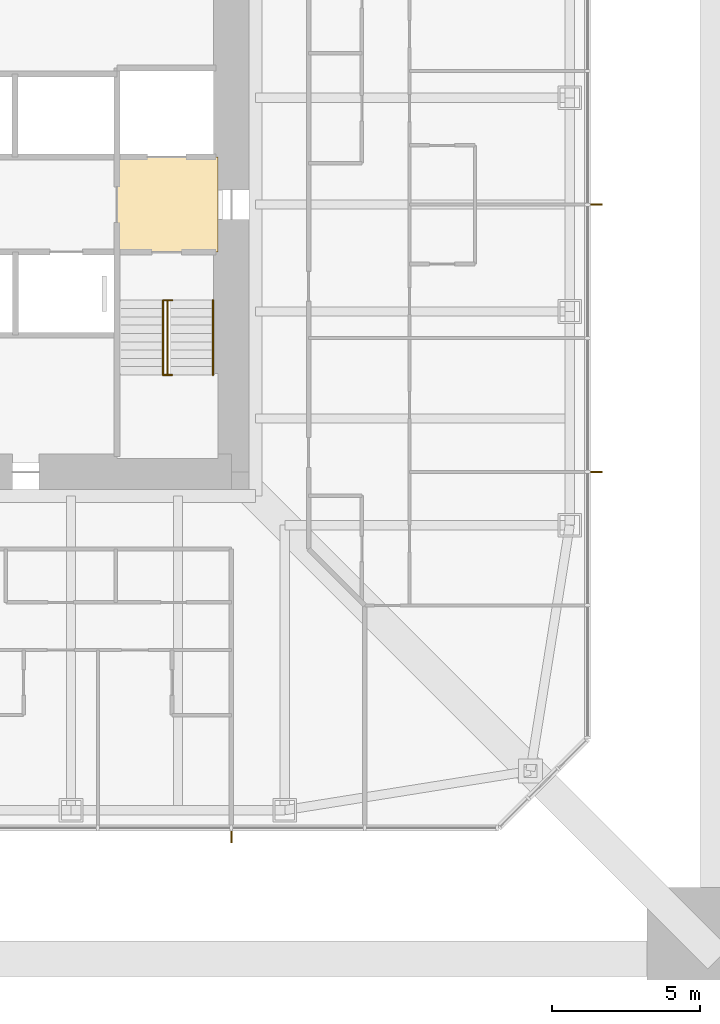
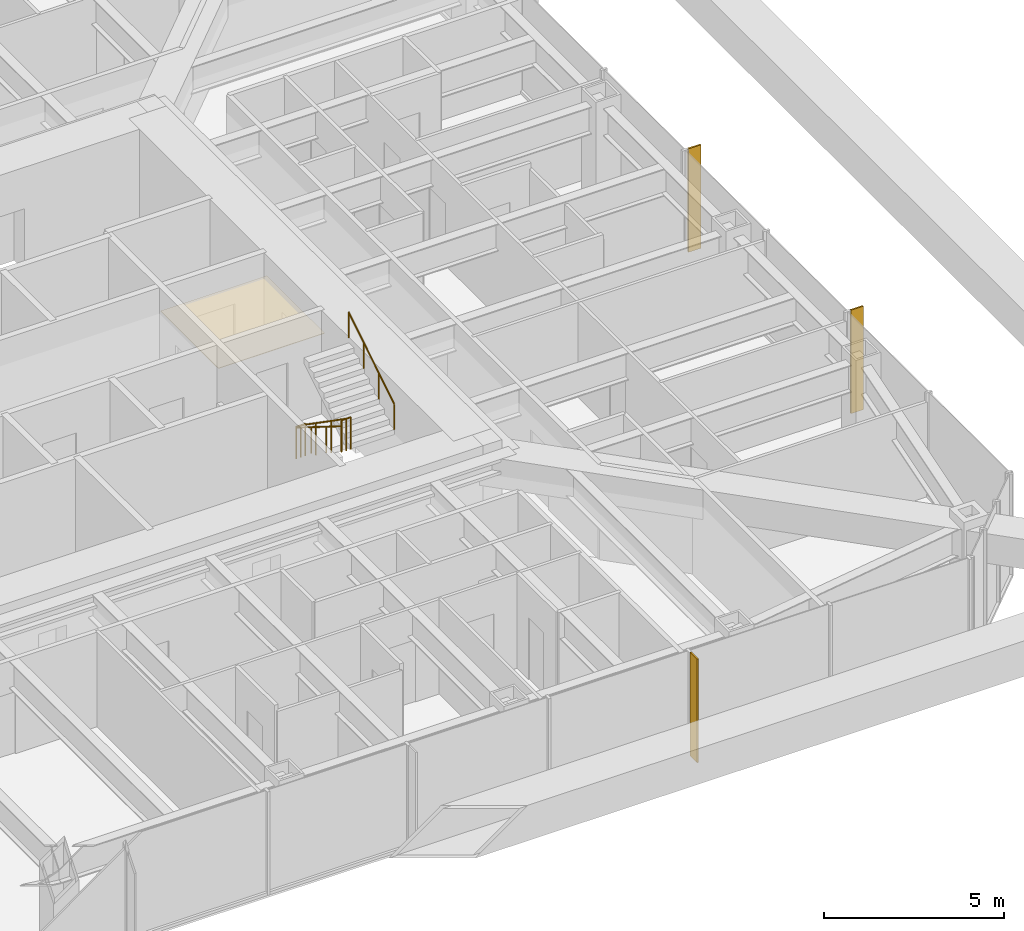
# One storey, part 19 of 20: 3 railings, 3 shading devices, 1 covering.
"""IFC4 building model written with IfcOpenShell, lengths in metres."""

from ifc_helpers import new_model, si_unit, direction, frame, origin, origin_2d, place, context, subcontext, project, spatial, polyline, rectangle, circle, outline, extrude, material, layer, layer_set, constituent, constituent_set, type_object, element, save


model = new_model("IFC4")

# Units and contexts
model_context = context("Model", 3, precision=1e-05, world=origin(), true_north=direction((0.0, 1.0)))
body_context = subcontext(model_context, "Body", "Model", "MODEL_VIEW")
ifc_project = project(units=[si_unit("LENGTHUNIT", "METRE"), si_unit("AREAUNIT", "SQUARE_METRE"), si_unit("VOLUMEUNIT", "CUBIC_METRE"), si_unit("PLANEANGLEUNIT", "RADIAN"), si_unit("MASSUNIT", "GRAM", prefix="KILO")], contexts=[model_context])

# Site, building, storey
site_placement = place(None, origin())
site = spatial("IfcSite", under=ifc_project, at=site_placement, CompositionType="ELEMENT")
building_placement = place(site_placement, origin())
building = spatial("IfcBuilding", under=site, at=building_placement, Name="Iwan Alto Co-Living Towers", CompositionType="ELEMENT")
storey_placement = place(building_placement, frame((0.0, 0.0, 140.0)))
storey = spatial("IfcBuildingStorey", under=building, at=storey_placement, Name="L38", CompositionType="ELEMENT", Elevation=140.0)

# Covering
ifc_material_1 = material(Name="Mineral fibre acoustic tiles on steel grid", Category="steel")
ifc_layer_1 = layer(ifc_material_1, 0.02001953125)
ifc_layer_set_1 = layer_set([ifc_layer_1], Name="ACOUSTIC TILE CEILING 20")
covering_type = type_object("IfcCoveringType", Name="ACOUSTIC TILE CEILING 20", PredefinedType="CEILING", material=ifc_layer_set_1)
covering_placement = place(storey_placement, frame((0.0, 0.0, 2.60009765625)))
element("IfcCovering", 1, at=covering_placement, inside=storey, type_object=covering_type, Name="Ceiling Firefighting lobby L38", PredefinedType="CEILING", context=body_context, shape_type="SweptSolid", body=[
    extrude(outline(polyline([(5.14990234375, -1.60009765625), (5.14990234375, 1.60009765625), (8.550048828125, 1.60009765625), (8.550048828125, -1.60009765625), (5.14990234375, -1.60009765625)])), origin(), (0.0, 0.0, 1.0), 0.02001953125),
])

# Shading devices
ifc_material_2 = material(Name="Aluminium 6063-T6 bronze anodised", Category="aluminium")
ifc_layer_2 = layer(ifc_material_2, 0.050048828125)
ifc_layer_set_2 = layer_set([ifc_layer_2], Name="BRONZE FIN 50X400")
shading_device_type = type_object("IfcShadingDeviceType", Name="BRONZE FIN 50X400", PredefinedType="USERDEFINED", material=ifc_layer_set_2)
for number, where, z_axis, x_axis, name in (
    (2, (9.0, -21.300048828125, 0.0), (0.0, 0.0, 1.0), (1.0, 0.0, 0.0), "Bronze fin L38"),
    (3, (21.300048828125, -9.0, 0.0), (0.0, 0.0, 1.0), (0.0, 1.0, 0.0), "Bronze fin L38"),
    (4, (21.300048828125, 0.0, 0.0), (0.0, 0.0, 1.0), (0.0, 1.0, 0.0), "Bronze fin L38"),
):
    element("IfcShadingDevice", number, at=place(storey_placement, frame(where, z_axis=z_axis, x_axis=x_axis)), inside=storey, type_object=shading_device_type, Name=name, ObjectType="LOUVER", PredefinedType="USERDEFINED", context=body_context, shape_type="SweptSolid", body=[
        extrude(rectangle(XDim=0.050048828125, YDim=0.39990234375, at=origin_2d()), origin(), (0.0, 0.0, 1.0), 3.5),
    ])

# Railings
ifc_material_3 = material(Name="Steel ASTM A500 Gr C", Category="steel")
ifc_constituent_1 = constituent(ifc_material_3, Name="Rails and posts", Category="Framing")
ifc_material_4 = material(Name="Steel ASTM A36", Category="steel")
ifc_constituent_2 = constituent(ifc_material_4, Name="Bar infill", Category="Infill")
ifc_constituent_set = constituent_set(constituents=[ifc_constituent_1, ifc_constituent_2], Name="STAIR GUARD 1100")
railing_type_1 = type_object("IfcRailingType", Name="STAIR GUARD 1100", PredefinedType="GUARDRAIL", material=ifc_constituent_set)
railing_1_placement = place(storey_placement, frame((6.85009765625, -3.219970703125, 0.0)))
element("IfcRailing", 5, at=railing_1_placement, inside=storey, type_object=railing_type_1, Name="Stair T1-S2 well guard L38", PredefinedType="GUARDRAIL", context=body_context, shape_type="SweptSolid", body=[
    extrude(circle(Radius=0.02392578125, at=origin_2d()), frame((0.0, 0.0, 1.076171875), z_axis=(0.0, -0.821372036852, 0.570392826987), x_axis=(1.0, 0.0, 0.0)), (0.0, 0.0, 1.0), 3.068115234375),
    extrude(circle(Radius=0.02392578125, at=origin_2d()), frame((-0.150146484375, 0.0, 1.076171875), z_axis=(1.0, 0.0, 0.0), x_axis=(0.0, 1.0, 0.0)), (0.0, 0.0, 1.0), 0.300048828125),
    extrude(circle(Radius=0.02392578125, at=origin_2d()), frame((-0.150146484375, -2.52001953125, 2.826171875), z_axis=(1.0, 0.0, 0.0), x_axis=(0.0, 1.0, 0.0)), (0.0, 0.0, 1.0), 0.300048828125),
    extrude(circle(Radius=0.02099609375, at=origin_2d()), origin(), (0.0, 0.0, 1.0), 1.052001953125),
    extrude(circle(Radius=0.02099609375, at=origin_2d()), frame((0.0, -0.840087890625, 0.583251953125)), (0.0, 0.0, 1.0), 1.052001953125),
    extrude(circle(Radius=0.02099609375, at=origin_2d()), frame((0.0, -1.679931640625, 1.166748046875)), (0.0, 0.0, 1.0), 1.052001953125),
    extrude(circle(Radius=0.02099609375, at=origin_2d()), frame((0.0, -2.52001953125, 1.75)), (0.0, 0.0, 1.0), 1.052001953125),
    extrude(circle(Radius=0.02099609375, at=origin_2d()), frame((-0.150146484375, 0.0, 0.0)), (0.0, 0.0, 1.0), 1.052001953125),
    extrude(circle(Radius=0.02099609375, at=origin_2d()), frame((0.14990234375, 0.0, 0.0)), (0.0, 0.0, 1.0), 1.052001953125),
    extrude(circle(Radius=0.02099609375, at=origin_2d()), frame((-0.150146484375, -2.52001953125, 1.75)), (0.0, 0.0, 1.0), 1.052001953125),
    extrude(circle(Radius=0.02099609375, at=origin_2d()), frame((0.14990234375, -2.52001953125, 1.75)), (0.0, 0.0, 1.0), 1.052001953125),
])
ifc_material_5 = material(Name="Steel ASTM A500 Gr C", Category="steel")
railing_type_2 = type_object("IfcRailingType", Name="STAIR HANDRAIL 900", PredefinedType="HANDRAIL", material=ifc_material_5)
railing_2_placement = place(storey_placement, frame((6.699951171875, -3.219970703125, 0.175048828125)))
element("IfcRailing", 6, at=railing_2_placement, inside=storey, type_object=railing_type_2, Name="Stair T1-S2 handrail 1 L38", PredefinedType="HANDRAIL", context=body_context, shape_type="SweptSolid", body=[
    extrude(circle(Radius=0.02392578125, at=origin_2d()), frame((0.0, 0.0, 0.8759765625), z_axis=(0.0, -0.848007534815, 0.529984170421), x_axis=(1.0, 0.0, 0.0)), (0.0, 0.0, 1.0), 2.9716796875),
    extrude(circle(Radius=0.02099609375, at=origin_2d()), origin(), (0.0, 0.0, 1.0), 0.851806640625),
    extrude(circle(Radius=0.02099609375, at=origin_2d()), frame((0.0, -0.840087890625, 0.52490234375)), (0.0, 0.0, 1.0), 0.851806640625),
    extrude(circle(Radius=0.02099609375, at=origin_2d()), frame((0.0, -1.679931640625, 1.050048828125)), (0.0, 0.0, 1.0), 0.851806640625),
    extrude(circle(Radius=0.02099609375, at=origin_2d()), frame((0.0, -2.52001953125, 1.574951171875)), (0.0, 0.0, 1.0), 0.851806640625),
])
railing_3_placement = place(storey_placement, frame((8.3798828125, -5.739990234375, 1.925048828125)))
element("IfcRailing", 7, at=railing_3_placement, inside=storey, type_object=railing_type_2, Name="Stair T1-S2 handrail 2 L38", PredefinedType="HANDRAIL", context=body_context, shape_type="SweptSolid", body=[
    extrude(circle(Radius=0.02392578125, at=origin_2d()), frame((0.0, 0.0, 0.8759765625), z_axis=(0.0, 0.848007534815, 0.529984170421), x_axis=(-1.0, 0.0, 0.0)), (0.0, 0.0, 1.0), 2.9716796875),
    extrude(circle(Radius=0.02099609375, at=origin_2d()), origin(), (0.0, 0.0, 1.0), 0.851806640625),
    extrude(circle(Radius=0.02099609375, at=origin_2d()), frame((0.0, 0.840087890625, 0.52490234375)), (0.0, 0.0, 1.0), 0.851806640625),
    extrude(circle(Radius=0.02099609375, at=origin_2d()), frame((0.0, 1.679931640625, 1.050048828125)), (0.0, 0.0, 1.0), 0.851806640625),
    extrude(circle(Radius=0.02099609375, at=origin_2d()), frame((0.0, 2.52001953125, 1.574951171875)), (0.0, 0.0, 1.0), 0.851806640625),
])

save(model, "model.ifc")
